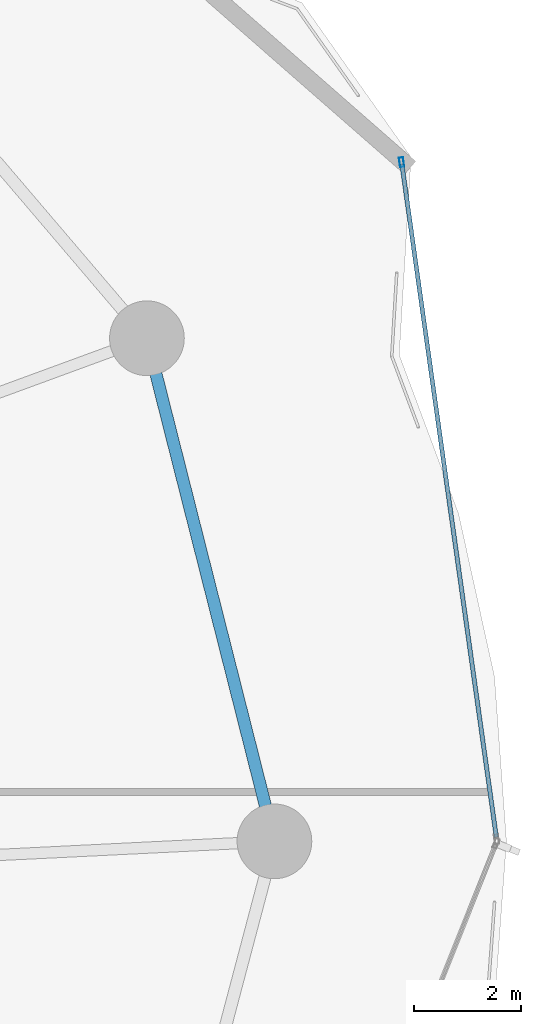
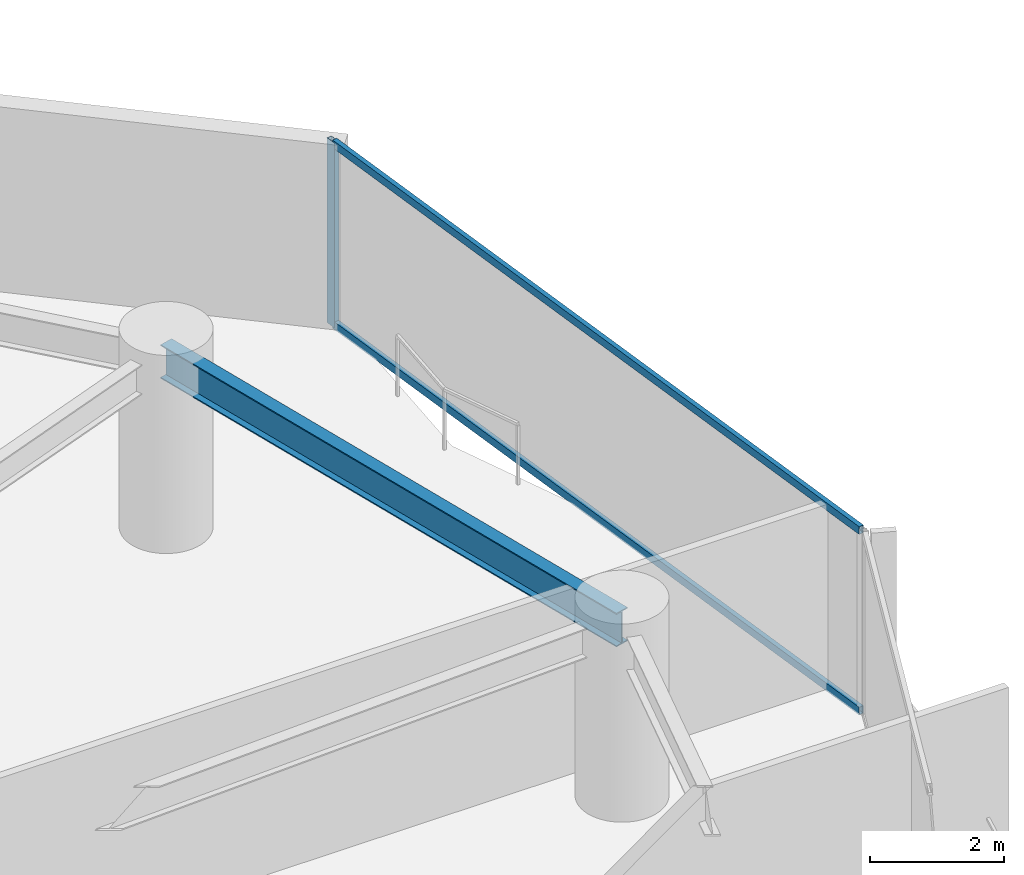
# One storey, part 23 of 31: 3 members, 1 beam, 1 element without a shape of its own.
"""IFC4 building model written with IfcOpenShell, lengths in metres."""

import ifcopenshell
import ifcopenshell.guid

model = None  # the IFC model being written
_history = None  # IfcOwnerHistory: only IFC2X3 demands one
_inside = {}  # id of a spatial element -> (the spatial element, [elements in it])
_under = {}  # id of a project, library or spatial element -> (it, [spatial elements below it])
_declared = {}  # id of a project -> (the project, [libraries it declares])
_typed = {}  # id of a type object -> (the type object, [elements of that type])
_made_of = {}  # id of a material, layer set ... -> (it, [elements and type objects made of it])


def new_model(schema):
    """Start an empty IFC model of exactly this schema.

    Asked for "IFC4X3", IfcOpenShell would pick the latest addendum, in which some entities
    have other attributes; the version numbers below select the first issue.
    IFC2X3 requires an IfcOwnerHistory on every rooted entity: one is made here for all.
    """
    global model, _history
    if schema == "IFC4X3":
        model = ifcopenshell.file(schema_version=(4, 3, 0, 0))
    else:
        model = ifcopenshell.file(schema=schema)
    _inside.clear()
    _under.clear()
    _declared.clear()
    _typed.clear()
    _made_of.clear()
    _history = None
    if model.schema == "IFC2X3":
        org = make("IfcOrganization", Name="unknown")
        user = make(
            "IfcPersonAndOrganization",
            ThePerson=make("IfcPerson", FamilyName="unknown"),
            TheOrganization=org,
        )
        app = make(
            "IfcApplication",
            ApplicationDeveloper=org,
            Version="unknown",
            ApplicationFullName="unknown",
            ApplicationIdentifier="unknown",
        )
        _history = make(
            "IfcOwnerHistory",
            OwningUser=user,
            OwningApplication=app,
            ChangeAction="ADDED",
            CreationDate=0,
        )
    return model


def make(cls, **values):
    """One entity of the class cls with the attributes given. An attribute that is None is left unset."""
    return model.create_entity(
        cls, **{name: value for name, value in values.items() if value is not None}
    )


def rooted(cls, **values):
    """An entity with a GlobalId (a new one), such as an element, a storey or a relation."""
    return make(cls, GlobalId=ifcopenshell.guid.new(), OwnerHistory=_history, **values)


def si_unit(unit_type, name, prefix=None):
    """IfcSIUnit, for example si_unit("LENGTHUNIT", "METRE", prefix="MILLI")."""
    return make("IfcSIUnit", UnitType=unit_type, Prefix=prefix, Name=name)


def assignment(units):
    """IfcUnitAssignment: the units of a project."""
    return None if units is None else make("IfcUnitAssignment", Units=units)


def point(xyz):
    """IfcCartesianPoint."""
    return None if xyz is None else make("IfcCartesianPoint", Coordinates=xyz)


def direction(xyz):
    """IfcDirection."""
    return None if xyz is None else make("IfcDirection", DirectionRatios=xyz)


def frame(location, z_axis=None, x_axis=None):
    """IfcAxis2Placement3D, a coordinate frame: its origin and axes. An axis left out is left unset."""
    return make(
        "IfcAxis2Placement3D",
        Location=point(location),
        Axis=direction(z_axis),
        RefDirection=direction(x_axis),
    )


def frame_2d(location, x_axis=None):
    """IfcAxis2Placement2D, a coordinate frame in the plane: its origin and x axis."""
    return make(
        "IfcAxis2Placement2D", Location=point(location), RefDirection=direction(x_axis)
    )


def origin():
    """The frame at (0, 0, 0) with its axes left unset."""
    return frame((0.0, 0.0, 0.0))


def origin_2d():
    """The frame at (0, 0) in the plane with its x axis left unset."""
    return frame_2d((0.0, 0.0))


def place(relative_to, where):
    """IfcLocalPlacement: puts the frame where relative to a parent placement (None: the world)."""
    return make(
        "IfcLocalPlacement", PlacementRelTo=relative_to, RelativePlacement=where
    )


def context(
    kind, dimensions, precision=None, world=None, true_north=None, identifier=None
):
    """IfcGeometricRepresentationContext, for example the 3D "Model" context."""
    return make(
        "IfcGeometricRepresentationContext",
        ContextIdentifier=identifier,
        ContextType=kind,
        CoordinateSpaceDimension=dimensions,
        Precision=precision,
        WorldCoordinateSystem=world,
        TrueNorth=true_north,
    )


def subcontext(parent, identifier, kind, view, scale=None):
    """IfcGeometricRepresentationSubContext, for example "Body" below "Model"."""
    return make(
        "IfcGeometricRepresentationSubContext",
        ContextIdentifier=identifier,
        ContextType=kind,
        ParentContext=parent,
        TargetScale=scale,
        TargetView=view,
    )


def project(units=None, contexts=None):
    """IfcProject with its units and contexts."""
    return rooted(
        "IfcProject",
        Name="project",
        RepresentationContexts=contexts,
        UnitsInContext=assignment(units),
    )


def spatial(cls, under=None, at=None, **own):
    """A site, building, storey or space (cls), placed at a placement, below another one or the project."""
    s = rooted(cls, ObjectPlacement=at, **own)
    if under is not None:
        _under.setdefault(under.id(), (under, []))[1].append(s)
    return s


def profile(cls, at=None, kind="AREA", **sizes):
    """A parametric profile (cls). Its sizes go by their IFC names, for example OverallWidth=200.0."""
    return make(cls, ProfileType=kind, Position=at, **sizes)


def hollow_rectangle(**sizes):
    """IfcRectangleHollowProfileDef."""
    return profile("IfcRectangleHollowProfileDef", **sizes)


def i_section(**sizes):
    """IfcIShapeProfileDef."""
    return profile("IfcIShapeProfileDef", **sizes)


def extrude(swept, where, along, depth):
    """IfcExtrudedAreaSolid: the profile swept, set in the frame where, extruded along a direction by depth."""
    return make(
        "IfcExtrudedAreaSolid",
        SweptArea=swept,
        Position=where,
        ExtrudedDirection=direction(along),
        Depth=depth,
    )


def shape(context_of_items, identifier, shape_type, items):
    """IfcShapeRepresentation: the items that make up one representation, for example the "Body"."""
    return make(
        "IfcShapeRepresentation",
        ContextOfItems=context_of_items,
        RepresentationIdentifier=identifier,
        RepresentationType=shape_type,
        Items=items,
    )


def material(Name=None, Category=None):
    """IfcMaterial."""
    return make("IfcMaterial", Name=Name, Category=Category)


def layer(
    of_material, thickness, ventilated=None, Name=None, Category=None, Priority=None
):
    """IfcMaterialLayer: one layer of a wall or slab, of a material (None: an air gap)."""
    return make(
        "IfcMaterialLayer",
        Material=of_material,
        LayerThickness=thickness,
        IsVentilated=ventilated,
        Name=Name,
        Category=Category,
        Priority=Priority,
    )


def layer_set(layers, Name=None):
    """IfcMaterialLayerSet."""
    return make("IfcMaterialLayerSet", MaterialLayers=layers, LayerSetName=Name)


def material_profile(
    of_material, cross_section, Name=None, Category=None, Priority=None
):
    """IfcMaterialProfile: a cross section and its material."""
    return make(
        "IfcMaterialProfile",
        Name=Name,
        Material=of_material,
        Profile=cross_section,
        Priority=Priority,
        Category=Category,
    )


def profile_set(profiles, Name=None, composite=None):
    """IfcMaterialProfileSet."""
    return make(
        "IfcMaterialProfileSet",
        Name=Name,
        MaterialProfiles=profiles,
        CompositeProfile=composite,
    )


def made_of(thing, what):
    """Note that an element or type object is made of a material, layer set ...; save() writes the relation."""
    if what is not None:
        _made_of.setdefault(what.id(), (what, []))[1].append(thing)
    return thing


def type_object(cls, material=None, **own):
    """A type object (cls), such as IfcWallType, which elements share."""
    return made_of(rooted(cls, **own), material)


def element(
    cls,
    number,
    at=None,
    inside=None,
    cuts=None,
    type_object=None,
    material=None,
    context=None,
    identifier="Body",
    shape_type=None,
    held_by="IfcProductDefinitionShape",
    body=None,
    shapes=None,
    **own,
):
    """One element of the class cls, such as IfcWall. Its Tag is "e" and its number.

    at: its placement. inside: the storey or other place that contains it. cuts: it is an
    opening in that element (IfcRelVoidsElement). A single representation is given by context,
    identifier, shape_type and body (its items); several are given by shapes. held_by: the class
    of the entity that holds the representations. save() writes the other relations.
    """
    e = rooted(cls, Tag="e%d" % number, ObjectPlacement=at, **own)
    if body is not None:
        shapes = [shape(context, identifier, shape_type, body)]
    if shapes is not None:
        e.Representation = make(held_by, Representations=shapes)
    if inside is not None:
        _inside.setdefault(inside.id(), (inside, []))[1].append(e)
    if cuts is not None:
        rooted(
            "IfcRelVoidsElement", RelatingBuildingElement=cuts, RelatedOpeningElement=e
        )
    if type_object is not None:
        _typed.setdefault(type_object.id(), (type_object, []))[1].append(e)
    return made_of(e, material)


def aggregate(whole, parts):
    """IfcRelAggregates: a whole, such as a stair, and the parts it consists of."""
    return rooted("IfcRelAggregates", RelatingObject=whole, RelatedObjects=parts)


def save(model, path):
    """Write the relations noted so far, then the file.

    IfcRelAggregates (storeys below a building ...), IfcRelContainedInSpatialStructure (elements
    in a storey), IfcRelDefinesByType, IfcRelAssociatesMaterial and IfcRelDeclares: one each for
    every whole, place, type object, material and project.
    """
    for whole, parts in _under.values():
        aggregate(whole, parts)
    for where, things in _inside.values():
        rooted(
            "IfcRelContainedInSpatialStructure",
            RelatedElements=things,
            RelatingStructure=where,
        )
    for kind, things in _typed.values():
        rooted("IfcRelDefinesByType", RelatedObjects=things, RelatingType=kind)
    for what, things in _made_of.values():
        rooted("IfcRelAssociatesMaterial", RelatedObjects=things, RelatingMaterial=what)
    for by, libraries in _declared.values():
        rooted("IfcRelDeclares", RelatingContext=by, RelatedDefinitions=libraries)
    model.write(path)


model = new_model("IFC4")

# Units and contexts
model_context = context("Model", 3, precision=1e-05, world=origin(), true_north=direction((0.0, 1.0)))
body_context = subcontext(model_context, "Body", "Model", "MODEL_VIEW")
ifc_project = project(units=[si_unit("LENGTHUNIT", "METRE"), si_unit("AREAUNIT", "SQUARE_METRE"), si_unit("VOLUMEUNIT", "CUBIC_METRE"), si_unit("PLANEANGLEUNIT", "RADIAN"), si_unit("MASSUNIT", "GRAM", prefix="KILO")], contexts=[model_context])

# Site, building, storey
site_placement = place(None, origin())
site = spatial("IfcSite", under=ifc_project, at=site_placement, CompositionType="ELEMENT")
building_placement = place(site_placement, origin())
building = spatial("IfcBuilding", under=site, at=building_placement, Name="Kazevale Care Tower and Concert Hall", CompositionType="ELEMENT")
storey_placement = place(building_placement, frame((0.0, 0.0, 63.60009765625)))
storey = spatial("IfcBuildingStorey", under=building, at=storey_placement, Name="L16", CompositionType="ELEMENT", Elevation=63.60009765625)

# Curtain wall, members
ifc_material_1 = material(Name="Aluminium 6063-T6 and Low-E Glass", Category="aluminium")
ifc_layer = layer(ifc_material_1, 0.179931640625)
ifc_layer_set = layer_set([ifc_layer], Name="Aluminium 6063-T6 and Low-E Glass")
curtain_wall_type = type_object("IfcCurtainWallType", Name="Waist & Upper Residential Curtain Wall CW-4", PredefinedType="NOTDEFINED", material=ifc_layer_set)
curtain_wall_placement = place(storey_placement, origin())
curtain_wall = element("IfcCurtainWall", 1, at=curtain_wall_placement, inside=storey, type_object=curtain_wall_type, Name="cw:L16:f18", PredefinedType="NOTDEFINED")
ifc_material_2 = material(Name="Aluminium 6063-T6", Category="aluminium")
ifc_material_profile_1 = material_profile(ifc_material_2, hollow_rectangle(XDim=0.080078125, YDim=0.179931640625, WallThickness=0.0048828125, at=origin_2d()), Name="ALU80x180x5")
ifc_profile_set_1 = profile_set([ifc_material_profile_1], Name="Aluminium 6063-T6")
member_type_1 = type_object("IfcMemberType", Name="CW-4 Mullion ALU80x180x5", PredefinedType="MULLION", material=ifc_profile_set_1)
member_1_placement = place(storey_placement, frame((78.83349609375, 50.7294921875, 0.0), z_axis=(0.0, 0.0, 1.0), x_axis=(0.990295475282, 0.138977953775, 0.0)))
member_1 = element("IfcMember", 2, at=member_1_placement, type_object=member_type_1, Name="CW-4 mullion 1", PredefinedType="MULLION", context=body_context, shape_type="SweptSolid", body=[
    extrude(hollow_rectangle(XDim=0.080078125, YDim=0.179931640625, WallThickness=0.0048828125, at=origin_2d()), origin(), (0.0, 0.0, 1.0), 3.35986328125),
])
ifc_material_profile_2 = material_profile(ifc_material_2, hollow_rectangle(XDim=0.080078125, YDim=0.139892578125, WallThickness=0.00390625, at=origin_2d()), Name="ALU80x140x4")
ifc_profile_set_2 = profile_set([ifc_material_profile_2], Name="Aluminium 6063-T6")
member_type_2 = type_object("IfcMemberType", Name="CW-4 Transom ALU80x140x4", PredefinedType="USERDEFINED", material=ifc_profile_set_2)
member_2_placement = place(storey_placement, frame((78.839111328125, 50.689697265625, 0.039794921875), z_axis=(0.138981041567, -0.990295041937, 0.0), x_axis=(0.990295041937, 0.138981041567, 0.0)))
member_2 = element("IfcMember", 3, at=member_2_placement, type_object=member_type_2, Name="CW-4 transom 1.1", ObjectType="TRANSOM", PredefinedType="USERDEFINED", context=body_context, shape_type="SweptSolid", body=[
    extrude(hollow_rectangle(XDim=0.080078125, YDim=0.139892578125, WallThickness=0.00390625, at=origin_2d()), origin(), (0.0, 0.0, 1.0), 12.73388671875),
])
member_3_placement = place(storey_placement, frame((78.839111328125, 50.689697265625, 3.31982421875), z_axis=(0.138981041567, -0.990295041937, 0.0), x_axis=(0.990295041937, 0.138981041567, 0.0)))
member_3 = element("IfcMember", 4, at=member_3_placement, type_object=member_type_2, Name="CW-4 transom 1.2", ObjectType="TRANSOM", PredefinedType="USERDEFINED", context=body_context, shape_type="SweptSolid", body=[
    extrude(hollow_rectangle(XDim=0.080078125, YDim=0.139892578125, WallThickness=0.00390625, at=origin_2d()), origin(), (0.0, 0.0, 1.0), 12.73388671875),
])
aggregate(curtain_wall, [member_1, member_2, member_3])

# Beam
ifc_material_3 = material(Name="Steel ASTM A572 Gr 50", Category="steel")
ifc_material_profile_3 = material_profile(ifc_material_3, i_section(OverallWidth=0.22900390625, OverallDepth=0.612060546875, WebThickness=0.011962890625, FlangeThickness=0.01953125, at=origin_2d()), Name="W610x125")
ifc_profile_set_3 = profile_set([ifc_material_profile_3], Name="Steel ASTM A572 Gr 50")
beam_type = type_object("IfcBeamType", Name="Ring Spandrel Beam W610x125", PredefinedType="SPANDREL", material=ifc_profile_set_3)
beam_placement = place(storey_placement, frame((76.449951171875, 38.0, 3.053955078125), z_axis=(-0.245669948409, 0.969353535326, 0.0), x_axis=(-0.969353535326, -0.245669948409, 0.0)))
element("IfcBeam", 5, at=beam_placement, inside=storey, type_object=beam_type, Name="beam:L16:ring:01", PredefinedType="SPANDREL", context=body_context, shape_type="SweptSolid", body=[
    extrude(i_section(OverallWidth=0.22900390625, OverallDepth=0.612060546875, WebThickness=0.011962890625, FlangeThickness=0.01953125, at=origin_2d()), origin(), (0.0, 0.0, 1.0), 9.72802734375),
])

save(model, "model.ifc")
